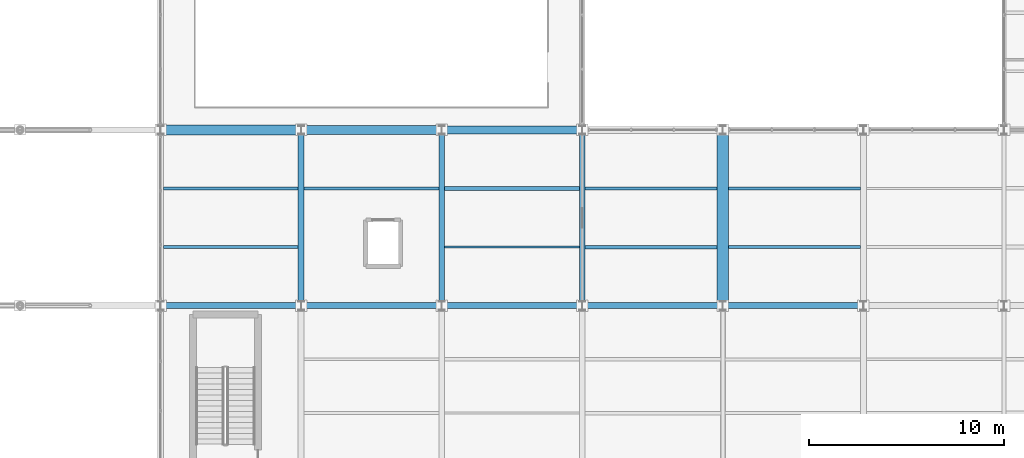
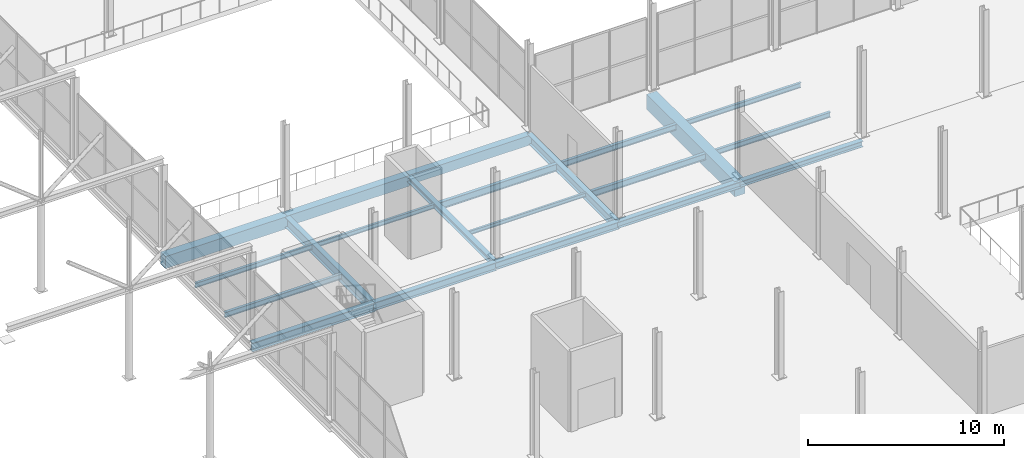
# One storey, part 44 of 147: 21 beams.
"""IFC4 building model written with IfcOpenShell, lengths in metres."""

import ifcopenshell
import ifcopenshell.guid

model = None  # the IFC model being written
_history = None  # IfcOwnerHistory: only IFC2X3 demands one
_inside = {}  # id of a spatial element -> (the spatial element, [elements in it])
_under = {}  # id of a project, library or spatial element -> (it, [spatial elements below it])
_declared = {}  # id of a project -> (the project, [libraries it declares])
_typed = {}  # id of a type object -> (the type object, [elements of that type])
_made_of = {}  # id of a material, layer set ... -> (it, [elements and type objects made of it])


def new_model(schema):
    """Start an empty IFC model of exactly this schema.

    Asked for "IFC4X3", IfcOpenShell would pick the latest addendum, in which some entities
    have other attributes; the version numbers below select the first issue.
    IFC2X3 requires an IfcOwnerHistory on every rooted entity: one is made here for all.
    """
    global model, _history
    if schema == "IFC4X3":
        model = ifcopenshell.file(schema_version=(4, 3, 0, 0))
    else:
        model = ifcopenshell.file(schema=schema)
    _inside.clear()
    _under.clear()
    _declared.clear()
    _typed.clear()
    _made_of.clear()
    _history = None
    if model.schema == "IFC2X3":
        org = make("IfcOrganization", Name="unknown")
        user = make(
            "IfcPersonAndOrganization",
            ThePerson=make("IfcPerson", FamilyName="unknown"),
            TheOrganization=org,
        )
        app = make(
            "IfcApplication",
            ApplicationDeveloper=org,
            Version="unknown",
            ApplicationFullName="unknown",
            ApplicationIdentifier="unknown",
        )
        _history = make(
            "IfcOwnerHistory",
            OwningUser=user,
            OwningApplication=app,
            ChangeAction="ADDED",
            CreationDate=0,
        )
    return model


def make(cls, **values):
    """One entity of the class cls with the attributes given. An attribute that is None is left unset."""
    return model.create_entity(
        cls, **{name: value for name, value in values.items() if value is not None}
    )


def rooted(cls, **values):
    """An entity with a GlobalId (a new one), such as an element, a storey or a relation."""
    return make(cls, GlobalId=ifcopenshell.guid.new(), OwnerHistory=_history, **values)


def si_unit(unit_type, name, prefix=None):
    """IfcSIUnit, for example si_unit("LENGTHUNIT", "METRE", prefix="MILLI")."""
    return make("IfcSIUnit", UnitType=unit_type, Prefix=prefix, Name=name)


def assignment(units):
    """IfcUnitAssignment: the units of a project."""
    return None if units is None else make("IfcUnitAssignment", Units=units)


def point(xyz):
    """IfcCartesianPoint."""
    return None if xyz is None else make("IfcCartesianPoint", Coordinates=xyz)


def direction(xyz):
    """IfcDirection."""
    return None if xyz is None else make("IfcDirection", DirectionRatios=xyz)


def frame(location, z_axis=None, x_axis=None):
    """IfcAxis2Placement3D, a coordinate frame: its origin and axes. An axis left out is left unset."""
    return make(
        "IfcAxis2Placement3D",
        Location=point(location),
        Axis=direction(z_axis),
        RefDirection=direction(x_axis),
    )


def frame_2d(location, x_axis=None):
    """IfcAxis2Placement2D, a coordinate frame in the plane: its origin and x axis."""
    return make(
        "IfcAxis2Placement2D", Location=point(location), RefDirection=direction(x_axis)
    )


def origin():
    """The frame at (0, 0, 0) with its axes left unset."""
    return frame((0.0, 0.0, 0.0))


def origin_2d():
    """The frame at (0, 0) in the plane with its x axis left unset."""
    return frame_2d((0.0, 0.0))


def place(relative_to, where):
    """IfcLocalPlacement: puts the frame where relative to a parent placement (None: the world)."""
    return make(
        "IfcLocalPlacement", PlacementRelTo=relative_to, RelativePlacement=where
    )


def context(
    kind, dimensions, precision=None, world=None, true_north=None, identifier=None
):
    """IfcGeometricRepresentationContext, for example the 3D "Model" context."""
    return make(
        "IfcGeometricRepresentationContext",
        ContextIdentifier=identifier,
        ContextType=kind,
        CoordinateSpaceDimension=dimensions,
        Precision=precision,
        WorldCoordinateSystem=world,
        TrueNorth=true_north,
    )


def subcontext(parent, identifier, kind, view, scale=None):
    """IfcGeometricRepresentationSubContext, for example "Body" below "Model"."""
    return make(
        "IfcGeometricRepresentationSubContext",
        ContextIdentifier=identifier,
        ContextType=kind,
        ParentContext=parent,
        TargetScale=scale,
        TargetView=view,
    )


def project(units=None, contexts=None):
    """IfcProject with its units and contexts."""
    return rooted(
        "IfcProject",
        Name="project",
        RepresentationContexts=contexts,
        UnitsInContext=assignment(units),
    )


def spatial(cls, under=None, at=None, **own):
    """A site, building, storey or space (cls), placed at a placement, below another one or the project."""
    s = rooted(cls, ObjectPlacement=at, **own)
    if under is not None:
        _under.setdefault(under.id(), (under, []))[1].append(s)
    return s


def profile(cls, at=None, kind="AREA", **sizes):
    """A parametric profile (cls). Its sizes go by their IFC names, for example OverallWidth=200.0."""
    return make(cls, ProfileType=kind, Position=at, **sizes)


def rectangle(**sizes):
    """IfcRectangleProfileDef."""
    return profile("IfcRectangleProfileDef", **sizes)


def i_section(**sizes):
    """IfcIShapeProfileDef."""
    return profile("IfcIShapeProfileDef", **sizes)


def extrude(swept, where, along, depth):
    """IfcExtrudedAreaSolid: the profile swept, set in the frame where, extruded along a direction by depth."""
    return make(
        "IfcExtrudedAreaSolid",
        SweptArea=swept,
        Position=where,
        ExtrudedDirection=direction(along),
        Depth=depth,
    )


def shape(context_of_items, identifier, shape_type, items):
    """IfcShapeRepresentation: the items that make up one representation, for example the "Body"."""
    return make(
        "IfcShapeRepresentation",
        ContextOfItems=context_of_items,
        RepresentationIdentifier=identifier,
        RepresentationType=shape_type,
        Items=items,
    )


def material(Name=None, Category=None):
    """IfcMaterial."""
    return make("IfcMaterial", Name=Name, Category=Category)


def material_profile(
    of_material, cross_section, Name=None, Category=None, Priority=None
):
    """IfcMaterialProfile: a cross section and its material."""
    return make(
        "IfcMaterialProfile",
        Name=Name,
        Material=of_material,
        Profile=cross_section,
        Priority=Priority,
        Category=Category,
    )


def profile_set(profiles, Name=None, composite=None):
    """IfcMaterialProfileSet."""
    return make(
        "IfcMaterialProfileSet",
        Name=Name,
        MaterialProfiles=profiles,
        CompositeProfile=composite,
    )


def made_of(thing, what):
    """Note that an element or type object is made of a material, layer set ...; save() writes the relation."""
    if what is not None:
        _made_of.setdefault(what.id(), (what, []))[1].append(thing)
    return thing


def type_object(cls, material=None, **own):
    """A type object (cls), such as IfcWallType, which elements share."""
    return made_of(rooted(cls, **own), material)


def element(
    cls,
    number,
    at=None,
    inside=None,
    cuts=None,
    type_object=None,
    material=None,
    context=None,
    identifier="Body",
    shape_type=None,
    held_by="IfcProductDefinitionShape",
    body=None,
    shapes=None,
    **own,
):
    """One element of the class cls, such as IfcWall. Its Tag is "e" and its number.

    at: its placement. inside: the storey or other place that contains it. cuts: it is an
    opening in that element (IfcRelVoidsElement). A single representation is given by context,
    identifier, shape_type and body (its items); several are given by shapes. held_by: the class
    of the entity that holds the representations. save() writes the other relations.
    """
    e = rooted(cls, Tag="e%d" % number, ObjectPlacement=at, **own)
    if body is not None:
        shapes = [shape(context, identifier, shape_type, body)]
    if shapes is not None:
        e.Representation = make(held_by, Representations=shapes)
    if inside is not None:
        _inside.setdefault(inside.id(), (inside, []))[1].append(e)
    if cuts is not None:
        rooted(
            "IfcRelVoidsElement", RelatingBuildingElement=cuts, RelatedOpeningElement=e
        )
    if type_object is not None:
        _typed.setdefault(type_object.id(), (type_object, []))[1].append(e)
    return made_of(e, material)


def aggregate(whole, parts):
    """IfcRelAggregates: a whole, such as a stair, and the parts it consists of."""
    return rooted("IfcRelAggregates", RelatingObject=whole, RelatedObjects=parts)


def save(model, path):
    """Write the relations noted so far, then the file.

    IfcRelAggregates (storeys below a building ...), IfcRelContainedInSpatialStructure (elements
    in a storey), IfcRelDefinesByType, IfcRelAssociatesMaterial and IfcRelDeclares: one each for
    every whole, place, type object, material and project.
    """
    for whole, parts in _under.values():
        aggregate(whole, parts)
    for where, things in _inside.values():
        rooted(
            "IfcRelContainedInSpatialStructure",
            RelatedElements=things,
            RelatingStructure=where,
        )
    for kind, things in _typed.values():
        rooted("IfcRelDefinesByType", RelatedObjects=things, RelatingType=kind)
    for what, things in _made_of.values():
        rooted("IfcRelAssociatesMaterial", RelatedObjects=things, RelatingMaterial=what)
    for by, libraries in _declared.values():
        rooted("IfcRelDeclares", RelatingContext=by, RelatedDefinitions=libraries)
    model.write(path)


model = new_model("IFC4")

# Units and contexts
model_context = context("Model", 3, precision=1e-05, world=origin(), true_north=direction((0.0, 1.0)))
body_context = subcontext(model_context, "Body", "Model", "MODEL_VIEW")
ifc_project = project(units=[si_unit("LENGTHUNIT", "METRE"), si_unit("AREAUNIT", "SQUARE_METRE"), si_unit("VOLUMEUNIT", "CUBIC_METRE"), si_unit("PLANEANGLEUNIT", "RADIAN"), si_unit("MASSUNIT", "GRAM", prefix="KILO")], contexts=[model_context])

# Site, building, storey
site_placement = place(None, origin())
site = spatial("IfcSite", under=ifc_project, at=site_placement, CompositionType="ELEMENT")
building_placement = place(site_placement, origin())
building = spatial("IfcBuilding", under=site, at=building_placement, Name="Sundgate Opera House", CompositionType="ELEMENT")
storey_placement = place(building_placement, frame((0.0, 0.0, 6.0)))
storey = spatial("IfcBuildingStorey", under=building, at=storey_placement, Name="L01", CompositionType="ELEMENT", Elevation=6.0)

# Beams
ifc_material_1 = material(Name="Steel S355J2", Category="steel")
ifc_material_profile_1 = material_profile(ifc_material_1, i_section(OverallWidth=0.300048828125, OverallDepth=0.330078125, WebThickness=0.009521484375, FlangeThickness=0.0166015625, at=origin_2d()), Name="HEA 340")
ifc_profile_set_1 = profile_set([ifc_material_profile_1], Name="Steel S355J2")
beam_type_1 = type_object("IfcBeamType", Name="BM-GR-HEA340", PredefinedType="BEAM", material=ifc_profile_set_1)
beam_1_placement = place(storey_placement, frame((109.800048828125, 33.0, -0.465087890625), z_axis=(0.0, 1.0, 0.0), x_axis=(-1.0, 0.0, 0.0)))
element("IfcBeam", 1, at=beam_1_placement, inside=storey, type_object=beam_type_1, Name="L01 Primary N-S Girder B1173", PredefinedType="BEAM", context=body_context, shape_type="SweptSolid", body=[
    extrude(i_section(OverallWidth=0.300048828125, OverallDepth=0.330078125, WebThickness=0.009521484375, FlangeThickness=0.0166015625, at=origin_2d()), origin(), (0.0, 0.0, 1.0), 9.0),
])
ifc_material_2 = material(Name="Steel S355J2", Category="steel")
ifc_material_profile_2 = material_profile(ifc_material_2, i_section(OverallWidth=0.300048828125, OverallDepth=0.360107421875, WebThickness=0.012451171875, FlangeThickness=0.0224609375, at=origin_2d()), Name="HEB 360")
ifc_profile_set_2 = profile_set([ifc_material_profile_2], Name="Steel S355J2")
beam_type_2 = type_object("IfcBeamType", Name="BM-GR-HEB360", PredefinedType="BEAM", material=ifc_profile_set_2)
beam_2_placement = place(storey_placement, frame((124.199951171875, 33.0, -0.47998046875), z_axis=(1.0, 0.0, 0.0), x_axis=(0.0, 1.0, 0.0)))
element("IfcBeam", 2, at=beam_2_placement, inside=storey, type_object=beam_type_2, Name="L01 Primary E-W Girder B1321", PredefinedType="BEAM", context=body_context, shape_type="SweptSolid", body=[
    extrude(i_section(OverallWidth=0.300048828125, OverallDepth=0.360107421875, WebThickness=0.012451171875, FlangeThickness=0.0224609375, at=origin_2d()), origin(), (0.0, 0.0, 1.0), 7.199951171875),
])
ifc_material_3 = material(Name="Steel S355J2", Category="steel")
ifc_material_profile_3 = material_profile(ifc_material_3, i_section(OverallWidth=0.300048828125, OverallDepth=0.39990234375, WebThickness=0.013427734375, FlangeThickness=0.02392578125, at=origin_2d()), Name="HEB 400")
ifc_profile_set_3 = profile_set([ifc_material_profile_3], Name="Steel S355J2")
beam_type_3 = type_object("IfcBeamType", Name="BM-GR-HEB400", PredefinedType="BEAM", material=ifc_profile_set_3)
beam_3_placement = place(storey_placement, frame((117.0, 33.0, -0.5), z_axis=(1.0, 0.0, 0.0), x_axis=(0.0, 1.0, 0.0)))
element("IfcBeam", 3, at=beam_3_placement, inside=storey, type_object=beam_type_3, Name="L01 Primary E-W Girder B1320", PredefinedType="BEAM", context=body_context, shape_type="SweptSolid", body=[
    extrude(i_section(OverallWidth=0.300048828125, OverallDepth=0.39990234375, WebThickness=0.013427734375, FlangeThickness=0.02392578125, at=origin_2d()), origin(), (0.0, 0.0, 1.0), 7.199951171875),
])
ifc_material_4 = material(Name="Steel S355J2", Category="steel")
ifc_material_profile_4 = material_profile(ifc_material_4, i_section(OverallWidth=0.300048828125, OverallDepth=0.449951171875, WebThickness=0.013916015625, FlangeThickness=0.02587890625, at=origin_2d()), Name="HEB 450")
ifc_profile_set_4 = profile_set([ifc_material_profile_4], Name="Steel S355J2")
beam_type_4 = type_object("IfcBeamType", Name="BM-GR-HEB450", PredefinedType="BEAM", material=ifc_profile_set_4)
beam_4_placement = place(storey_placement, frame((109.800048828125, 33.0, -0.52490234375), z_axis=(1.0, 0.0, 0.0), x_axis=(0.0, 1.0, 0.0)))
element("IfcBeam", 4, at=beam_4_placement, inside=storey, type_object=beam_type_4, Name="L01 Primary E-W Girder B1319", PredefinedType="BEAM", context=body_context, shape_type="SweptSolid", body=[
    extrude(i_section(OverallWidth=0.300048828125, OverallDepth=0.449951171875, WebThickness=0.013916015625, FlangeThickness=0.02587890625, at=origin_2d()), origin(), (0.0, 0.0, 1.0), 7.199951171875),
])
ifc_material_5 = material(Name="Steel S355J2", Category="steel")
ifc_material_profile_5 = material_profile(ifc_material_5, i_section(OverallWidth=0.300048828125, OverallDepth=0.5, WebThickness=0.014404296875, FlangeThickness=0.028076171875, at=origin_2d()), Name="HEB 500")
ifc_profile_set_5 = profile_set([ifc_material_profile_5], Name="Steel S355J2")
beam_type_5 = type_object("IfcBeamType", Name="BM-GR-HEB500", PredefinedType="BEAM", material=ifc_profile_set_5)
beam_5_placement = place(storey_placement, frame((102.60009765625, 33.0, -0.550048828125), z_axis=(1.0, 0.0, 0.0), x_axis=(0.0, 1.0, 0.0)))
element("IfcBeam", 5, at=beam_5_placement, inside=storey, type_object=beam_type_5, Name="L01 Primary E-W Girder B1318", PredefinedType="BEAM", context=body_context, shape_type="SweptSolid", body=[
    extrude(i_section(OverallWidth=0.300048828125, OverallDepth=0.5, WebThickness=0.014404296875, FlangeThickness=0.028076171875, at=origin_2d()), origin(), (0.0, 0.0, 1.0), 7.199951171875),
])
ifc_material_6 = material(Name="Steel S355J2", Category="steel")
ifc_material_profile_6 = material_profile(ifc_material_6, i_section(OverallWidth=0.300048828125, OverallDepth=0.550048828125, WebThickness=0.014892578125, FlangeThickness=0.029052734375, at=origin_2d()), Name="HEB 550")
ifc_profile_set_6 = profile_set([ifc_material_profile_6], Name="Steel S355J2")
beam_type_6 = type_object("IfcBeamType", Name="BM-GR-HEB550", PredefinedType="BEAM", material=ifc_profile_set_6)
beam_6_placement = place(storey_placement, frame((117.0, 33.0, -0.574951171875), z_axis=(0.0, 1.0, 0.0), x_axis=(-1.0, 0.0, 0.0)))
element("IfcBeam", 6, at=beam_6_placement, inside=storey, type_object=beam_type_6, Name="L01 Primary N-S Girder B1185", PredefinedType="BEAM", context=body_context, shape_type="SweptSolid", body=[
    extrude(i_section(OverallWidth=0.300048828125, OverallDepth=0.550048828125, WebThickness=0.014892578125, FlangeThickness=0.029052734375, at=origin_2d()), origin(), (0.0, 0.0, 1.0), 9.0),
])
beam_7_placement = place(storey_placement, frame((95.39990234375, 33.0, -0.574951171875), z_axis=(1.0, 0.0, 0.0), x_axis=(0.0, 1.0, 0.0)))
element("IfcBeam", 7, at=beam_7_placement, inside=storey, type_object=beam_type_6, Name="L01 Primary E-W Girder B1317", PredefinedType="BEAM", context=body_context, shape_type="SweptSolid", body=[
    extrude(i_section(OverallWidth=0.300048828125, OverallDepth=0.550048828125, WebThickness=0.014892578125, FlangeThickness=0.029052734375, at=origin_2d()), origin(), (0.0, 0.0, 1.0), 7.2001953125),
])
ifc_material_7 = material(Name="Steel S355J2", Category="steel")
ifc_material_profile_7 = material_profile(ifc_material_7, i_section(OverallWidth=0.300048828125, OverallDepth=0.64990234375, WebThickness=0.01611328125, FlangeThickness=0.031005859375, at=origin_2d()), Name="HEB 650")
ifc_profile_set_7 = profile_set([ifc_material_profile_7], Name="Steel S355J2")
beam_type_7 = type_object("IfcBeamType", Name="BM-GR-HEB650", PredefinedType="BEAM", material=ifc_profile_set_7)
beam_8_placement = place(storey_placement, frame((102.60009765625, 33.0, -0.625), z_axis=(0.0, 1.0, 0.0), x_axis=(-1.0, 0.0, 0.0)))
element("IfcBeam", 8, at=beam_8_placement, inside=storey, type_object=beam_type_7, Name="L01 Primary N-S Girder B1161", PredefinedType="BEAM", context=body_context, shape_type="SweptSolid", body=[
    extrude(i_section(OverallWidth=0.300048828125, OverallDepth=0.64990234375, WebThickness=0.01611328125, FlangeThickness=0.031005859375, at=origin_2d()), origin(), (0.0, 0.0, 1.0), 9.0),
])
ifc_material_8 = material(Name="Steel S355J2", Category="steel")
ifc_material_profile_8 = material_profile(ifc_material_8, i_section(OverallWidth=0.1201171875, OverallDepth=0.239990234375, WebThickness=0.006103515625, FlangeThickness=0.009765625, at=origin_2d()), Name="IPE 240")
ifc_profile_set_8 = profile_set([ifc_material_profile_8], Name="Steel S355J2")
beam_type_8 = type_object("IfcBeamType", Name="BM-JS-IPE240", PredefinedType="JOIST", material=ifc_profile_set_8)
beam_9_placement = place(storey_placement, frame((109.949951171875, 36.0, -0.419921875), z_axis=(1.0, 0.0, 0.0), x_axis=(0.0, 1.0, 0.0)))
element("IfcBeam", 9, at=beam_9_placement, inside=storey, type_object=beam_type_8, Name="L01 Secondary Floor Joist B1560", PredefinedType="JOIST", context=body_context, shape_type="SweptSolid", body=[
    extrude(i_section(OverallWidth=0.1201171875, OverallDepth=0.239990234375, WebThickness=0.006103515625, FlangeThickness=0.009765625, at=origin_2d()), origin(), (0.0, 0.0, 1.0), 6.900146484375),
])
ifc_material_9 = material(Name="Steel S355J2", Category="steel")
ifc_material_profile_9 = material_profile(ifc_material_9, i_section(OverallWidth=0.135009765625, OverallDepth=0.27001953125, WebThickness=0.006591796875, FlangeThickness=0.01025390625, at=origin_2d()), Name="IPE 270")
ifc_profile_set_9 = profile_set([ifc_material_profile_9], Name="Steel S355J2")
beam_type_9 = type_object("IfcBeamType", Name="BM-JS-IPE270", PredefinedType="JOIST", material=ifc_profile_set_9)
beam_10_placement = place(storey_placement, frame((102.75, 39.0, -0.43505859375), z_axis=(1.0, 0.0, 0.0), x_axis=(0.0, 1.0, 0.0)))
element("IfcBeam", 10, at=beam_10_placement, inside=storey, type_object=beam_type_9, Name="L01 Secondary Floor Joist B1559", PredefinedType="JOIST", context=body_context, shape_type="SweptSolid", body=[
    extrude(i_section(OverallWidth=0.135009765625, OverallDepth=0.27001953125, WebThickness=0.006591796875, FlangeThickness=0.01025390625, at=origin_2d()), origin(), (0.0, 0.0, 1.0), 6.89990234375),
])
ifc_material_10 = material(Name="Steel S355J2", Category="steel")
ifc_material_profile_10 = material_profile(ifc_material_10, i_section(OverallWidth=0.14990234375, OverallDepth=0.300048828125, WebThickness=0.007080078125, FlangeThickness=0.0107421875, at=origin_2d()), Name="IPE 300")
ifc_profile_set_10 = profile_set([ifc_material_profile_10], Name="Steel S355J2")
beam_type_10 = type_object("IfcBeamType", Name="BM-JS-IPE300", PredefinedType="JOIST", material=ifc_profile_set_10)
beam_11_placement = place(storey_placement, frame((95.550048828125, 39.0, -0.449951171875), z_axis=(1.0, 0.0, 0.0), x_axis=(0.0, 1.0, 0.0)))
element("IfcBeam", 11, at=beam_11_placement, inside=storey, type_object=beam_type_10, Name="L01 Secondary Floor Joist B1558", PredefinedType="JOIST", context=body_context, shape_type="SweptSolid", body=[
    extrude(i_section(OverallWidth=0.14990234375, OverallDepth=0.300048828125, WebThickness=0.007080078125, FlangeThickness=0.0107421875, at=origin_2d()), origin(), (0.0, 0.0, 1.0), 6.89990234375),
])
beam_12_placement = place(storey_placement, frame((124.5, 39.0, -0.449951171875), z_axis=(1.0, 0.0, 0.0), x_axis=(0.0, 1.0, 0.0)))
element("IfcBeam", 12, at=beam_12_placement, inside=storey, type_object=beam_type_10, Name="L01 Secondary Floor Joist B1565", PredefinedType="JOIST", context=body_context, shape_type="SweptSolid", body=[
    extrude(i_section(OverallWidth=0.14990234375, OverallDepth=0.300048828125, WebThickness=0.007080078125, FlangeThickness=0.0107421875, at=origin_2d()), origin(), (0.0, 0.0, 1.0), 6.75),
])
ifc_material_11 = material(Name="Steel S355J2", Category="steel")
ifc_material_profile_11 = material_profile(ifc_material_11, i_section(OverallWidth=0.159912109375, OverallDepth=0.330078125, WebThickness=0.007568359375, FlangeThickness=0.011474609375, at=origin_2d()), Name="IPE 330")
ifc_profile_set_11 = profile_set([ifc_material_profile_11], Name="Steel S355J2")
beam_type_11 = type_object("IfcBeamType", Name="BM-JS-IPE330", PredefinedType="JOIST", material=ifc_profile_set_11)
beam_13_placement = place(storey_placement, frame((95.550048828125, 36.0, -0.465087890625), z_axis=(1.0, 0.0, 0.0), x_axis=(0.0, 1.0, 0.0)))
element("IfcBeam", 13, at=beam_13_placement, inside=storey, type_object=beam_type_11, Name="L01 Secondary Floor Joist B1557", PredefinedType="JOIST", context=body_context, shape_type="SweptSolid", body=[
    extrude(i_section(OverallWidth=0.159912109375, OverallDepth=0.330078125, WebThickness=0.007568359375, FlangeThickness=0.011474609375, at=origin_2d()), origin(), (0.0, 0.0, 1.0), 6.89990234375),
])
beam_14_placement = place(storey_placement, frame((124.5, 36.0, -0.465087890625), z_axis=(1.0, 0.0, 0.0), x_axis=(0.0, 1.0, 0.0)))
element("IfcBeam", 14, at=beam_14_placement, inside=storey, type_object=beam_type_11, Name="L01 Secondary Floor Joist B1564", PredefinedType="JOIST", context=body_context, shape_type="SweptSolid", body=[
    extrude(i_section(OverallWidth=0.159912109375, OverallDepth=0.330078125, WebThickness=0.007568359375, FlangeThickness=0.011474609375, at=origin_2d()), origin(), (0.0, 0.0, 1.0), 6.75),
])
ifc_material_12 = material(Name="Steel S355J2", Category="steel")
ifc_material_profile_12 = material_profile(ifc_material_12, i_section(OverallWidth=0.169921875, OverallDepth=0.360107421875, WebThickness=0.008056640625, FlangeThickness=0.0126953125, at=origin_2d()), Name="IPE 360")
ifc_profile_set_12 = profile_set([ifc_material_profile_12], Name="Steel S355J2")
beam_type_12 = type_object("IfcBeamType", Name="BM-JS-IPE360", PredefinedType="JOIST", material=ifc_profile_set_12)
beam_15_placement = place(storey_placement, frame((117.14990234375, 39.0, -0.47998046875), z_axis=(1.0, 0.0, 0.0), x_axis=(0.0, 1.0, 0.0)))
element("IfcBeam", 15, at=beam_15_placement, inside=storey, type_object=beam_type_12, Name="L01 Secondary Floor Joist B1563", PredefinedType="JOIST", context=body_context, shape_type="SweptSolid", body=[
    extrude(i_section(OverallWidth=0.169921875, OverallDepth=0.360107421875, WebThickness=0.008056640625, FlangeThickness=0.0126953125, at=origin_2d()), origin(), (0.0, 0.0, 1.0), 6.75),
])
ifc_material_13 = material(Name="Steel S355J2", Category="steel")
ifc_material_profile_13 = material_profile(ifc_material_13, i_section(OverallWidth=0.179931640625, OverallDepth=0.39990234375, WebThickness=0.008544921875, FlangeThickness=0.013427734375, at=origin_2d()), Name="IPE 400")
ifc_profile_set_13 = profile_set([ifc_material_profile_13], Name="Steel S355J2")
beam_type_13 = type_object("IfcBeamType", Name="BM-JS-IPE400", PredefinedType="JOIST", material=ifc_profile_set_13)
beam_16_placement = place(storey_placement, frame((117.14990234375, 36.0, -0.5), z_axis=(1.0, 0.0, 0.0), x_axis=(0.0, 1.0, 0.0)))
element("IfcBeam", 16, at=beam_16_placement, inside=storey, type_object=beam_type_13, Name="L01 Secondary Floor Joist B1562", PredefinedType="JOIST", context=body_context, shape_type="SweptSolid", body=[
    extrude(i_section(OverallWidth=0.179931640625, OverallDepth=0.39990234375, WebThickness=0.008544921875, FlangeThickness=0.013427734375, at=origin_2d()), origin(), (0.0, 0.0, 1.0), 6.75),
])
ifc_material_14 = material(Name="Steel S355J2", Category="steel")
ifc_material_profile_14 = material_profile(ifc_material_14, i_section(OverallWidth=0.18994140625, OverallDepth=0.449951171875, WebThickness=0.009521484375, FlangeThickness=0.0146484375, at=origin_2d()), Name="IPE 450")
ifc_profile_set_14 = profile_set([ifc_material_profile_14], Name="Steel S355J2")
beam_type_14 = type_object("IfcBeamType", Name="BM-JS-IPE450", PredefinedType="JOIST", material=ifc_profile_set_14)
beam_17_placement = place(storey_placement, frame((109.949951171875, 39.0, -0.52490234375), z_axis=(1.0, 0.0, 0.0), x_axis=(0.0, 1.0, 0.0)))
element("IfcBeam", 17, at=beam_17_placement, inside=storey, type_object=beam_type_14, Name="L01 Secondary Floor Joist B1561", PredefinedType="JOIST", context=body_context, shape_type="SweptSolid", body=[
    extrude(i_section(OverallWidth=0.18994140625, OverallDepth=0.449951171875, WebThickness=0.009521484375, FlangeThickness=0.0146484375, at=origin_2d()), origin(), (0.0, 0.0, 1.0), 6.900146484375),
])
ifc_material_15 = material(Name="Concrete C35/45", Category="concrete")
ifc_material_profile_15 = material_profile(ifc_material_15, rectangle(XDim=0.39990234375, YDim=0.60009765625, at=origin_2d()), Name="RC 400x600")
ifc_profile_set_15 = profile_set([ifc_material_profile_15], Name="Concrete C35/45")
beam_type_15 = type_object("IfcBeamType", Name="BM-RC-400x600", PredefinedType="BEAM", material=ifc_profile_set_15)
beam_18_placement = place(storey_placement, frame((109.800048828125, 42.0, -0.60009765625), z_axis=(1.0, 0.0, 0.0), x_axis=(0.0, 1.0, 0.0)))
element("IfcBeam", 18, at=beam_18_placement, inside=storey, type_object=beam_type_15, Name="L01 Primary E-W Girder B1334", PredefinedType="BEAM", context=body_context, shape_type="SweptSolid", body=[
    extrude(rectangle(XDim=0.39990234375, YDim=0.60009765625, at=origin_2d()), origin(), (0.0, 0.0, 1.0), 7.199951171875),
])
ifc_material_16 = material(Name="Concrete C35/45", Category="concrete")
ifc_material_profile_16 = material_profile(ifc_material_16, rectangle(XDim=0.449951171875, YDim=0.64990234375, at=origin_2d()), Name="RC 450x650")
ifc_profile_set_16 = profile_set([ifc_material_profile_16], Name="Concrete C35/45")
beam_type_16 = type_object("IfcBeamType", Name="BM-RC-450x650", PredefinedType="BEAM", material=ifc_profile_set_16)
beam_19_placement = place(storey_placement, frame((102.60009765625, 42.0, -0.625), z_axis=(1.0, 0.0, 0.0), x_axis=(0.0, 1.0, 0.0)))
element("IfcBeam", 19, at=beam_19_placement, inside=storey, type_object=beam_type_16, Name="L01 Primary E-W Girder B1333", PredefinedType="BEAM", context=body_context, shape_type="SweptSolid", body=[
    extrude(rectangle(XDim=0.449951171875, YDim=0.64990234375, at=origin_2d()), origin(), (0.0, 0.0, 1.0), 7.199951171875),
])
ifc_material_17 = material(Name="Concrete C40/50", Category="concrete")
ifc_material_profile_17 = material_profile(ifc_material_17, rectangle(XDim=0.5, YDim=0.75, at=origin_2d()), Name="RC 500x750")
ifc_profile_set_17 = profile_set([ifc_material_profile_17], Name="Concrete C40/50")
beam_type_17 = type_object("IfcBeamType", Name="BM-RC-500x750", PredefinedType="BEAM", material=ifc_profile_set_17)
beam_20_placement = place(storey_placement, frame((95.39990234375, 42.0, -0.675048828125), z_axis=(1.0, 0.0, 0.0), x_axis=(0.0, 1.0, 0.0)))
element("IfcBeam", 20, at=beam_20_placement, inside=storey, type_object=beam_type_17, Name="L01 Primary E-W Girder B1332", PredefinedType="BEAM", context=body_context, shape_type="SweptSolid", body=[
    extrude(rectangle(XDim=0.5, YDim=0.75, at=origin_2d()), origin(), (0.0, 0.0, 1.0), 7.2001953125),
])
ifc_material_18 = material(Name="Concrete C40/50", Category="concrete")
ifc_material_profile_18 = material_profile(ifc_material_18, rectangle(XDim=0.60009765625, YDim=0.949951171875, at=origin_2d()), Name="RC 600x950")
ifc_profile_set_18 = profile_set([ifc_material_profile_18], Name="Concrete C40/50")
beam_type_18 = type_object("IfcBeamType", Name="BM-RC-600x950", PredefinedType="BEAM", material=ifc_profile_set_18)
beam_21_placement = place(storey_placement, frame((124.199951171875, 33.0, -0.77490234375), z_axis=(0.0, 1.0, 0.0), x_axis=(-1.0, 0.0, 0.0)))
element("IfcBeam", 21, at=beam_21_placement, inside=storey, type_object=beam_type_18, Name="L01 Primary N-S Girder B1199", PredefinedType="BEAM", context=body_context, shape_type="SweptSolid", body=[
    extrude(rectangle(XDim=0.60009765625, YDim=0.949951171875, at=origin_2d()), origin(), (0.0, 0.0, 1.0), 9.0),
])

save(model, "model.ifc")
